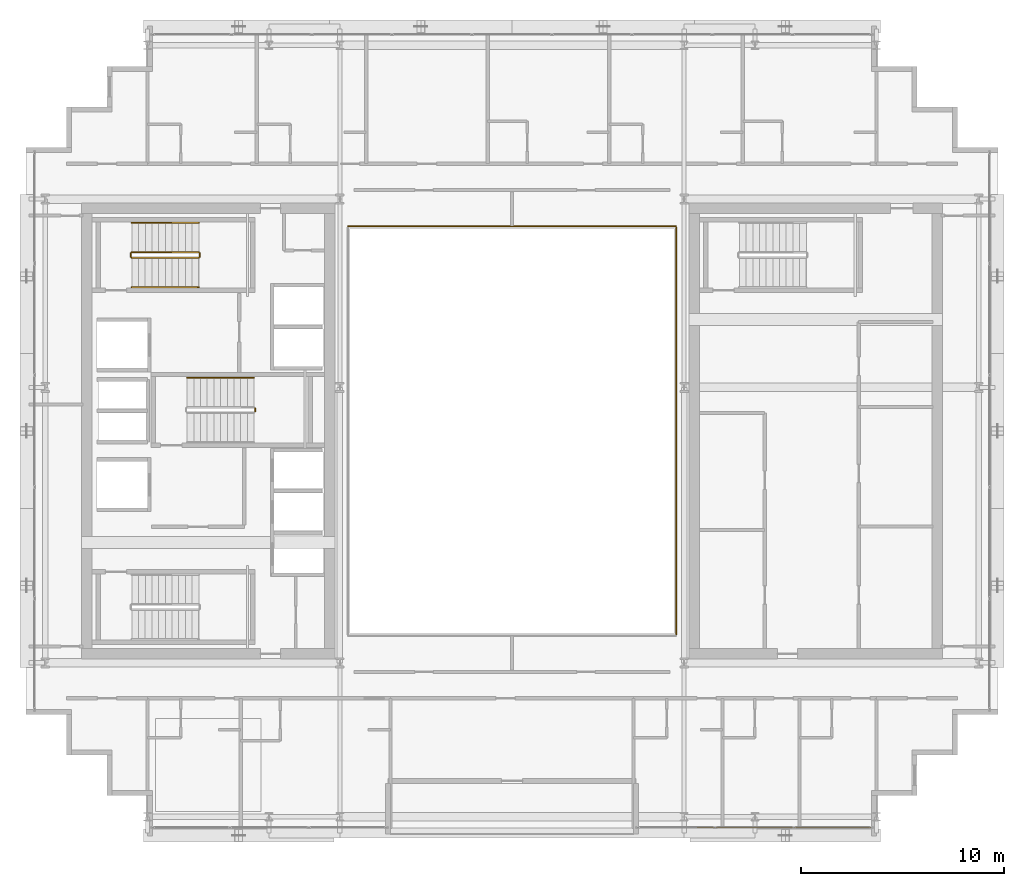
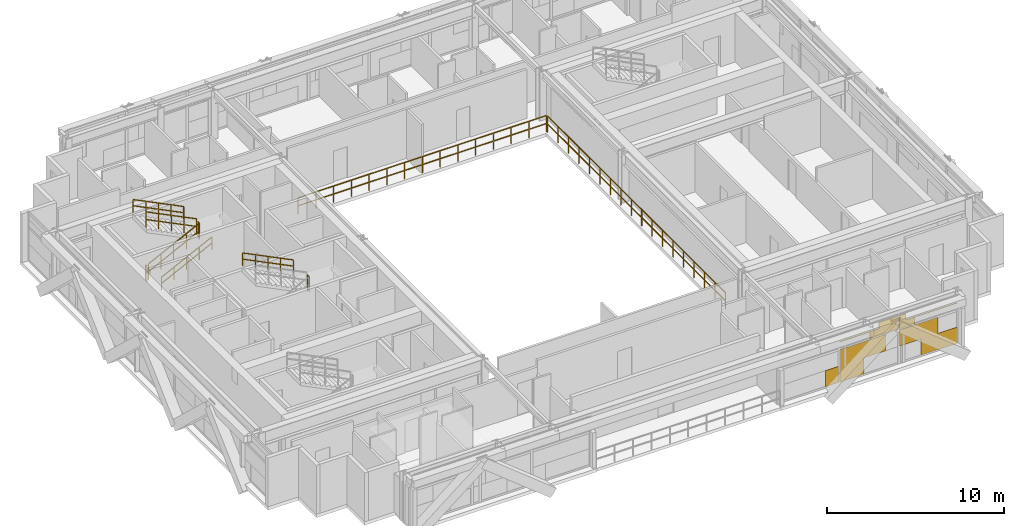
# One storey, part 29 of 31: 10 railings, 1 covering.
"""IFC4 building model written with IfcOpenShell, lengths in metres."""

from ifc_helpers import new_model, si_unit, direction, frame, origin, origin_2d, place, context, subcontext, project, spatial, rectangle, extrude, material, layer, layer_set, type_object, element, save


model = new_model("IFC4")

# Units and contexts
model_context = context("Model", 3, precision=1e-05, world=origin(), true_north=direction((0.0, 1.0)))
body_context = subcontext(model_context, "Body", "Model", "MODEL_VIEW")
ifc_project = project(units=[si_unit("LENGTHUNIT", "METRE"), si_unit("AREAUNIT", "SQUARE_METRE"), si_unit("VOLUMEUNIT", "CUBIC_METRE"), si_unit("PLANEANGLEUNIT", "RADIAN"), si_unit("MASSUNIT", "GRAM", prefix="KILO")], contexts=[model_context])

# Site, building, storey
site_placement = place(None, origin())
site = spatial("IfcSite", under=ifc_project, at=site_placement, CompositionType="ELEMENT")
building_placement = place(site_placement, origin())
building = spatial("IfcBuilding", under=site, at=building_placement, Name="Ocotamira Hotel", CompositionType="ELEMENT")
storey_placement = place(building_placement, frame((0.0, 0.0, 210.0)))
storey = spatial("IfcBuildingStorey", under=building, at=storey_placement, Name="L53", CompositionType="ELEMENT", Elevation=210.0)

# Covering
ifc_material_1 = material(Name="Insulated pale-metal aluminium spandrel panel", Category="aluminium")
ifc_layer = layer(ifc_material_1, 0.044921875)
ifc_layer_set = layer_set([ifc_layer], Name="Insulated pale-metal aluminium spandrel panel")
covering_type = type_object("IfcCoveringType", Name="COV-INFILL-45", PredefinedType="CLADDING", material=ifc_layer_set)
covering_placement = place(storey_placement, origin())
element("IfcCovering", 1, at=covering_placement, inside=storey, type_object=covering_type, Name="L53 Curtain Wall Infill CW-4 CW-L53-S2", PredefinedType="CLADDING", context=body_context, shape_type="SweptSolid", body=[
    extrude(rectangle(XDim=0.85888671875, YDim=0.044921875, at=origin_2d()), frame((41.5634765625, 6.419921875, 0.07568359375), z_axis=(0.0, 0.0, 1.0), x_axis=(1.0, 0.0, 0.0)), (0.0, 0.0, 1.0), 1.117919921875),
    extrude(rectangle(XDim=1.578125, YDim=0.044921875, at=origin_2d()), frame((42.86279296875, 6.419921875, 0.07568359375), z_axis=(0.0, 0.0, 1.0), x_axis=(1.0, 0.0, 0.0)), (0.0, 0.0, 1.0), 1.117919921875),
    extrude(rectangle(XDim=2.9765625, YDim=0.044921875, at=origin_2d()), frame((43.56201171875, 6.419921875, 1.1943359375), z_axis=(0.0, 0.0, 1.0), x_axis=(1.0, 0.0, 0.0)), (0.0, 0.0, 1.0), 1.117919921875),
    extrude(rectangle(XDim=3.80224609375, YDim=0.044921875, at=origin_2d()), frame((43.97509765625, 6.419921875, 2.83154296875), z_axis=(0.0, 0.0, 1.0), x_axis=(1.0, 0.0, 0.0)), (0.0, 0.0, 1.0), 0.0302734375),
    extrude(rectangle(XDim=1.8515625, YDim=0.044921875, at=origin_2d()), frame((44.950439453125, 6.419921875, 2.38818359375), z_axis=(0.0, 0.0, 1.0), x_axis=(1.0, 0.0, 0.0)), (0.0, 0.0, 1.0), 0.442626953125),
    extrude(rectangle(XDim=1.258056640625, YDim=0.044921875, at=origin_2d()), frame((45.2470703125, 6.419921875, 2.86279296875), z_axis=(0.0, 0.0, 1.0), x_axis=(1.0, 0.0, 0.0)), (0.0, 0.0, 1.0), 0.431640625),
    extrude(rectangle(XDim=2.510498046875, YDim=0.044921875, at=origin_2d()), frame((47.21240234375, 6.419921875, 1.1943359375), z_axis=(0.0, 0.0, 1.0), x_axis=(1.0, 0.0, 0.0)), (0.0, 0.0, 1.0), 1.117919921875),
    extrude(rectangle(XDim=2.37158203125, YDim=0.044921875, at=origin_2d()), frame((48.53369140625, 6.419921875, 0.07568359375), z_axis=(0.0, 0.0, 1.0), x_axis=(1.0, 0.0, 0.0)), (0.0, 0.0, 1.0), 1.117919921875),
    extrude(rectangle(XDim=1.018310546875, YDim=0.044921875, at=origin_2d()), frame((46.46630859375, 6.419921875, 2.38818359375), z_axis=(0.0, 0.0, 1.0), x_axis=(1.0, 0.0, 0.0)), (0.0, 0.0, 1.0), 0.442626953125),
    extrude(rectangle(XDim=3.76220703125, YDim=0.044921875, at=origin_2d()), frame((47.83837890625, 6.419921875, 2.83154296875), z_axis=(0.0, 0.0, 1.0), x_axis=(1.0, 0.0, 0.0)), (0.0, 0.0, 1.0), 0.0302734375),
    extrude(rectangle(XDim=0.4248046875, YDim=0.044921875, at=origin_2d()), frame((46.16943359375, 6.419921875, 2.86279296875), z_axis=(0.0, 0.0, 1.0), x_axis=(1.0, 0.0, 0.0)), (0.0, 0.0, 1.0), 0.431640625),
])

# Railings
ifc_material_2 = material(Name="Painted steel stair guardrail", Category="steel")
railing_type_1 = type_object("IfcRailingType", Name="RL-EDGE-1150", PredefinedType="GUARDRAIL", material=ifc_material_2)
railing_1_placement = place(storey_placement, frame((40.1201171875, 15.9599609375, 0.0)))
element("IfcRailing", 2, at=railing_1_placement, inside=storey, type_object=railing_type_1, Name="L53 Central Atrium Edge Guardrail E", PredefinedType="GUARDRAIL", context=body_context, shape_type="SweptSolid", body=[
    extrude(rectangle(XDim=0.048095703125, YDim=0.048095703125, at=origin_2d()), frame((0.0, 0.0, 1.1259765625), z_axis=(0.0, 1.0, 0.0), x_axis=(-1.0, 0.0, 0.0)), (0.0, 0.0, 1.0), 20.080078125),
    extrude(rectangle(XDim=0.048095703125, YDim=0.048095703125, at=origin_2d()), frame((0.0, 0.0, 0.574951171875), z_axis=(0.0, 1.0, 0.0), x_axis=(-1.0, 0.0, 0.0)), (0.0, 0.0, 1.0), 20.080078125),
    extrude(rectangle(XDim=0.0419921875, YDim=0.0419921875, at=origin_2d()), origin(), (0.0, 0.0, 1.0), 1.101806640625),
    extrude(rectangle(XDim=0.0419921875, YDim=0.0419921875, at=origin_2d()), frame((0.0, 1.18115234375, 0.0)), (0.0, 0.0, 1.0), 1.101806640625),
    extrude(rectangle(XDim=0.0419921875, YDim=0.0419921875, at=origin_2d()), frame((0.0, 2.3623046875, 0.0)), (0.0, 0.0, 1.0), 1.101806640625),
    extrude(rectangle(XDim=0.0419921875, YDim=0.0419921875, at=origin_2d()), frame((0.0, 3.54345703125, 0.0)), (0.0, 0.0, 1.0), 1.101806640625),
    extrude(rectangle(XDim=0.0419921875, YDim=0.0419921875, at=origin_2d()), frame((0.0, 4.724609375, 0.0)), (0.0, 0.0, 1.0), 1.101806640625),
    extrude(rectangle(XDim=0.0419921875, YDim=0.0419921875, at=origin_2d()), frame((0.0, 5.906005859375, 0.0)), (0.0, 0.0, 1.0), 1.101806640625),
    extrude(rectangle(XDim=0.0419921875, YDim=0.0419921875, at=origin_2d()), frame((0.0, 7.087158203125, 0.0)), (0.0, 0.0, 1.0), 1.101806640625),
    extrude(rectangle(XDim=0.0419921875, YDim=0.0419921875, at=origin_2d()), frame((0.0, 8.268310546875, 0.0)), (0.0, 0.0, 1.0), 1.101806640625),
    extrude(rectangle(XDim=0.0419921875, YDim=0.0419921875, at=origin_2d()), frame((0.0, 9.449462890625, 0.0)), (0.0, 0.0, 1.0), 1.101806640625),
    extrude(rectangle(XDim=0.0419921875, YDim=0.0419921875, at=origin_2d()), frame((0.0, 10.630615234375, 0.0)), (0.0, 0.0, 1.0), 1.101806640625),
    extrude(rectangle(XDim=0.0419921875, YDim=0.0419921875, at=origin_2d()), frame((0.0, 11.811767578125, 0.0)), (0.0, 0.0, 1.0), 1.101806640625),
    extrude(rectangle(XDim=0.0419921875, YDim=0.0419921875, at=origin_2d()), frame((0.0, 12.992919921875, 0.0)), (0.0, 0.0, 1.0), 1.101806640625),
    extrude(rectangle(XDim=0.0419921875, YDim=0.0419921875, at=origin_2d()), frame((0.0, 14.174072265625, 0.0)), (0.0, 0.0, 1.0), 1.101806640625),
    extrude(rectangle(XDim=0.0419921875, YDim=0.0419921875, at=origin_2d()), frame((0.0, 15.35546875, 0.0)), (0.0, 0.0, 1.0), 1.101806640625),
    extrude(rectangle(XDim=0.0419921875, YDim=0.0419921875, at=origin_2d()), frame((0.0, 16.53662109375, 0.0)), (0.0, 0.0, 1.0), 1.101806640625),
    extrude(rectangle(XDim=0.0419921875, YDim=0.0419921875, at=origin_2d()), frame((0.0, 17.7177734375, 0.0)), (0.0, 0.0, 1.0), 1.101806640625),
    extrude(rectangle(XDim=0.0419921875, YDim=0.0419921875, at=origin_2d()), frame((0.0, 18.89892578125, 0.0)), (0.0, 0.0, 1.0), 1.101806640625),
    extrude(rectangle(XDim=0.0419921875, YDim=0.0419921875, at=origin_2d()), frame((0.0, 20.080078125, 0.0)), (0.0, 0.0, 1.0), 1.101806640625),
])
railing_2_placement = place(storey_placement, frame((40.10009765625, 36.1201171875, 0.0)))
element("IfcRailing", 3, at=railing_2_placement, inside=storey, type_object=railing_type_1, Name="L53 Central Atrium Edge Guardrail N", PredefinedType="GUARDRAIL", context=body_context, shape_type="SweptSolid", body=[
    extrude(rectangle(XDim=0.048095703125, YDim=0.048095703125, at=origin_2d()), frame((0.0, 0.0, 1.1259765625), z_axis=(-1.0, 0.0, 0.0), x_axis=(0.0, -1.0, 0.0)), (0.0, 0.0, 1.0), 16.2001953125),
    extrude(rectangle(XDim=0.048095703125, YDim=0.048095703125, at=origin_2d()), frame((0.0, 0.0, 0.574951171875), z_axis=(-1.0, 0.0, 0.0), x_axis=(0.0, -1.0, 0.0)), (0.0, 0.0, 1.0), 16.2001953125),
    extrude(rectangle(XDim=0.0419921875, YDim=0.0419921875, at=origin_2d()), origin(), (0.0, 0.0, 1.0), 1.101806640625),
    extrude(rectangle(XDim=0.0419921875, YDim=0.0419921875, at=origin_2d()), frame((-1.1572265625, 0.0, 0.0)), (0.0, 0.0, 1.0), 1.101806640625),
    extrude(rectangle(XDim=0.0419921875, YDim=0.0419921875, at=origin_2d()), frame((-2.314208984375, 0.0, 0.0)), (0.0, 0.0, 1.0), 1.101806640625),
    extrude(rectangle(XDim=0.0419921875, YDim=0.0419921875, at=origin_2d()), frame((-3.471435546875, 0.0, 0.0)), (0.0, 0.0, 1.0), 1.101806640625),
    extrude(rectangle(XDim=0.0419921875, YDim=0.0419921875, at=origin_2d()), frame((-4.628662109375, 0.0, 0.0)), (0.0, 0.0, 1.0), 1.101806640625),
    extrude(rectangle(XDim=0.0419921875, YDim=0.0419921875, at=origin_2d()), frame((-5.785888671875, 0.0, 0.0)), (0.0, 0.0, 1.0), 1.101806640625),
    extrude(rectangle(XDim=0.0419921875, YDim=0.0419921875, at=origin_2d()), frame((-6.94287109375, 0.0, 0.0)), (0.0, 0.0, 1.0), 1.101806640625),
    extrude(rectangle(XDim=0.0419921875, YDim=0.0419921875, at=origin_2d()), frame((-8.10009765625, 0.0, 0.0)), (0.0, 0.0, 1.0), 1.101806640625),
    extrude(rectangle(XDim=0.0419921875, YDim=0.0419921875, at=origin_2d()), frame((-9.25732421875, 0.0, 0.0)), (0.0, 0.0, 1.0), 1.101806640625),
    extrude(rectangle(XDim=0.0419921875, YDim=0.0419921875, at=origin_2d()), frame((-10.414306640625, 0.0, 0.0)), (0.0, 0.0, 1.0), 1.101806640625),
    extrude(rectangle(XDim=0.0419921875, YDim=0.0419921875, at=origin_2d()), frame((-11.571533203125, 0.0, 0.0)), (0.0, 0.0, 1.0), 1.101806640625),
    extrude(rectangle(XDim=0.0419921875, YDim=0.0419921875, at=origin_2d()), frame((-12.728759765625, 0.0, 0.0)), (0.0, 0.0, 1.0), 1.101806640625),
    extrude(rectangle(XDim=0.0419921875, YDim=0.0419921875, at=origin_2d()), frame((-13.885986328125, 0.0, 0.0)), (0.0, 0.0, 1.0), 1.101806640625),
    extrude(rectangle(XDim=0.0419921875, YDim=0.0419921875, at=origin_2d()), frame((-15.04296875, 0.0, 0.0)), (0.0, 0.0, 1.0), 1.101806640625),
    extrude(rectangle(XDim=0.0419921875, YDim=0.0419921875, at=origin_2d()), frame((-16.2001953125, 0.0, 0.0)), (0.0, 0.0, 1.0), 1.101806640625),
])
ifc_material_3 = material(Name="Brushed stainless steel handrail", Category="steel")
railing_type_2 = type_object("IfcRailingType", Name="RL-HAND-900", PredefinedType="HANDRAIL", material=ifc_material_3)
railing_3_placement = place(storey_placement, frame((13.22998046875, 33.10009765625, 0.327392578125)))
element("IfcRailing", 4, at=railing_3_placement, inside=storey, type_object=railing_type_2, Name="L53 ST-2 stair handrail 1", PredefinedType="HANDRAIL", context=body_context, shape_type="SweptSolid", body=[
    extrude(rectangle(XDim=0.048095703125, YDim=0.048095703125, at=origin_2d()), frame((0.0, 0.0, 0.8759765625), z_axis=(0.895920123917, 0.0, 0.444215186098), x_axis=(0.0, 1.0, 0.0)), (0.0, 0.0, 1.0), 3.683349609375),
    extrude(rectangle(XDim=0.048095703125, YDim=0.048095703125, at=origin_2d()), frame((0.0, 0.0, 0.449951171875), z_axis=(0.895920123917, 0.0, 0.444215186098), x_axis=(0.0, 1.0, 0.0)), (0.0, 0.0, 1.0), 3.683349609375),
    extrude(rectangle(XDim=0.0419921875, YDim=0.0419921875, at=origin_2d()), origin(), (0.0, 0.0, 1.0), 0.851806640625),
    extrude(rectangle(XDim=0.0419921875, YDim=0.0419921875, at=origin_2d()), frame((0.824951171875, 0.0, 0.4091796875)), (0.0, 0.0, 1.0), 0.851806640625),
    extrude(rectangle(XDim=0.0419921875, YDim=0.0419921875, at=origin_2d()), frame((1.64990234375, 0.0, 0.818115234375)), (0.0, 0.0, 1.0), 0.851806640625),
    extrude(rectangle(XDim=0.0419921875, YDim=0.0419921875, at=origin_2d()), frame((2.47509765625, 0.0, 1.22705078125)), (0.0, 0.0, 1.0), 0.851806640625),
    extrude(rectangle(XDim=0.0419921875, YDim=0.0419921875, at=origin_2d()), frame((3.300048828125, 0.0, 1.63623046875)), (0.0, 0.0, 1.0), 0.851806640625),
])
for number, where, name in (
    (5, (16.530029296875, 36.280029296875, 2.127197265625), "L53 ST-2 stair handrail 2"),
    (6, (19.260009765625, 28.6298828125, 2.127197265625), "L53 ST-3 stair handrail 2"),
):
    element("IfcRailing", number, at=place(storey_placement, frame(where)), inside=storey, type_object=railing_type_2, Name=name, PredefinedType="HANDRAIL", context=body_context, shape_type="SweptSolid", body=[
        extrude(rectangle(XDim=0.048095703125, YDim=0.048095703125, at=origin_2d()), frame((0.0, 0.0, 0.8759765625), z_axis=(-0.895893744519, 0.0, 0.4442683857), x_axis=(0.0, -1.0, 0.0)), (0.0, 0.0, 1.0), 3.68359375),
        extrude(rectangle(XDim=0.048095703125, YDim=0.048095703125, at=origin_2d()), frame((0.0, 0.0, 0.449951171875), z_axis=(-0.895893744519, 0.0, 0.4442683857), x_axis=(0.0, -1.0, 0.0)), (0.0, 0.0, 1.0), 3.68359375),
        extrude(rectangle(XDim=0.0419921875, YDim=0.0419921875, at=origin_2d()), origin(), (0.0, 0.0, 1.0), 0.851806640625),
        extrude(rectangle(XDim=0.0419921875, YDim=0.0419921875, at=origin_2d()), frame((-0.824951171875, 0.0, 0.4091796875)), (0.0, 0.0, 1.0), 0.851806640625),
        extrude(rectangle(XDim=0.0419921875, YDim=0.0419921875, at=origin_2d()), frame((-1.64990234375, 0.0, 0.818359375)), (0.0, 0.0, 1.0), 0.851806640625),
        extrude(rectangle(XDim=0.0419921875, YDim=0.0419921875, at=origin_2d()), frame((-2.47509765625, 0.0, 1.227294921875)), (0.0, 0.0, 1.0), 0.851806640625),
        extrude(rectangle(XDim=0.0419921875, YDim=0.0419921875, at=origin_2d()), frame((-3.300048828125, 0.0, 1.636474609375)), (0.0, 0.0, 1.0), 0.851806640625),
    ])
railing_type_3 = type_object("IfcRailingType", Name="RL-STAIR-1100", PredefinedType="GUARDRAIL", material=ifc_material_2)
railing_4_placement = place(storey_placement, frame((13.22998046875, 34.56005859375, 0.16357421875)))
element("IfcRailing", 7, at=railing_4_placement, inside=storey, type_object=railing_type_3, Name="L53 ST-2 stair guard 1", PredefinedType="GUARDRAIL", context=body_context, shape_type="SweptSolid", body=[
    extrude(rectangle(XDim=0.048095703125, YDim=0.048095703125, at=origin_2d()), frame((0.0, 0.0, 1.076171875), z_axis=(0.895893744519, 0.0, 0.4442683857), x_axis=(0.0, 1.0, 0.0)), (0.0, 0.0, 1.0), 3.68359375),
    extrude(rectangle(XDim=0.048095703125, YDim=0.048095703125, at=origin_2d()), frame((0.0, 0.0, 0.550048828125), z_axis=(0.895893744519, 0.0, 0.4442683857), x_axis=(0.0, 1.0, 0.0)), (0.0, 0.0, 1.0), 3.68359375),
    extrude(rectangle(XDim=0.0419921875, YDim=0.0419921875, at=origin_2d()), origin(), (0.0, 0.0, 1.0), 1.052001953125),
    extrude(rectangle(XDim=0.0419921875, YDim=0.0419921875, at=origin_2d()), frame((0.824951171875, 0.0, 0.4091796875)), (0.0, 0.0, 1.0), 1.052001953125),
    extrude(rectangle(XDim=0.0419921875, YDim=0.0419921875, at=origin_2d()), frame((1.64990234375, 0.0, 0.818359375)), (0.0, 0.0, 1.0), 1.052001953125),
    extrude(rectangle(XDim=0.0419921875, YDim=0.0419921875, at=origin_2d()), frame((2.47509765625, 0.0, 1.227294921875)), (0.0, 0.0, 1.0), 1.052001953125),
    extrude(rectangle(XDim=0.0419921875, YDim=0.0419921875, at=origin_2d()), frame((3.300048828125, 0.0, 1.636474609375)), (0.0, 0.0, 1.0), 1.052001953125),
])
railing_5_placement = place(storey_placement, frame((16.580078125, 34.610107421875, 1.800048828125)))
element("IfcRailing", 8, at=railing_5_placement, inside=storey, type_object=railing_type_3, Name="L53 ST-2 stair guard 2", PredefinedType="GUARDRAIL", context=body_context, shape_type="SweptSolid", body=[
    extrude(rectangle(XDim=0.048095703125, YDim=0.048095703125, at=origin_2d()), frame((0.0, 0.0, 1.076171875), z_axis=(0.0, 1.0, 0.0), x_axis=(-1.0, 0.0, 0.0)), (0.0, 0.0, 1.0), 0.159912109375),
    extrude(rectangle(XDim=0.048095703125, YDim=0.048095703125, at=origin_2d()), frame((0.0, 0.0, 0.550048828125), z_axis=(0.0, 1.0, 0.0), x_axis=(-1.0, 0.0, 0.0)), (0.0, 0.0, 1.0), 0.159912109375),
    extrude(rectangle(XDim=0.0419921875, YDim=0.0419921875, at=origin_2d()), origin(), (0.0, 0.0, 1.0), 1.052001953125),
    extrude(rectangle(XDim=0.0419921875, YDim=0.0419921875, at=origin_2d()), frame((0.0, 0.159912109375, 0.0)), (0.0, 0.0, 1.0), 1.052001953125),
])
railing_6_placement = place(storey_placement, frame((16.530029296875, 34.820068359375, 1.963623046875)))
element("IfcRailing", 9, at=railing_6_placement, inside=storey, type_object=railing_type_3, Name="L53 ST-2 stair guard 3", PredefinedType="GUARDRAIL", context=body_context, shape_type="SweptSolid", body=[
    extrude(rectangle(XDim=0.048095703125, YDim=0.048095703125, at=origin_2d()), frame((0.0, 0.0, 1.076171875), z_axis=(-0.895893744519, 0.0, 0.4442683857), x_axis=(0.0, -1.0, 0.0)), (0.0, 0.0, 1.0), 3.68359375),
    extrude(rectangle(XDim=0.048095703125, YDim=0.048095703125, at=origin_2d()), frame((0.0, 0.0, 0.550048828125), z_axis=(-0.895893744519, 0.0, 0.4442683857), x_axis=(0.0, -1.0, 0.0)), (0.0, 0.0, 1.0), 3.68359375),
    extrude(rectangle(XDim=0.0419921875, YDim=0.0419921875, at=origin_2d()), origin(), (0.0, 0.0, 1.0), 1.052001953125),
    extrude(rectangle(XDim=0.0419921875, YDim=0.0419921875, at=origin_2d()), frame((-0.824951171875, 0.0, 0.4091796875)), (0.0, 0.0, 1.0), 1.052001953125),
    extrude(rectangle(XDim=0.0419921875, YDim=0.0419921875, at=origin_2d()), frame((-1.64990234375, 0.0, 0.818359375)), (0.0, 0.0, 1.0), 1.052001953125),
    extrude(rectangle(XDim=0.0419921875, YDim=0.0419921875, at=origin_2d()), frame((-2.47509765625, 0.0, 1.227294921875)), (0.0, 0.0, 1.0), 1.052001953125),
    extrude(rectangle(XDim=0.0419921875, YDim=0.0419921875, at=origin_2d()), frame((-3.300048828125, 0.0, 1.636474609375)), (0.0, 0.0, 1.0), 1.052001953125),
])
railing_7_placement = place(storey_placement, frame((13.179931640625, 34.610107421875, 0.0)))
element("IfcRailing", 10, at=railing_7_placement, inside=storey, type_object=railing_type_3, Name="L53 ST-2 stair guard 4", PredefinedType="GUARDRAIL", context=body_context, shape_type="SweptSolid", body=[
    extrude(rectangle(XDim=0.048095703125, YDim=0.048095703125, at=origin_2d()), frame((0.0, 0.0, 1.076171875), z_axis=(0.0, 1.0, 0.0), x_axis=(-1.0, 0.0, 0.0)), (0.0, 0.0, 1.0), 0.159912109375),
    extrude(rectangle(XDim=0.048095703125, YDim=0.048095703125, at=origin_2d()), frame((0.0, 0.0, 0.550048828125), z_axis=(0.0, 1.0, 0.0), x_axis=(-1.0, 0.0, 0.0)), (0.0, 0.0, 1.0), 0.159912109375),
    extrude(rectangle(XDim=0.0419921875, YDim=0.0419921875, at=origin_2d()), origin(), (0.0, 0.0, 1.0), 1.052001953125),
    extrude(rectangle(XDim=0.0419921875, YDim=0.0419921875, at=origin_2d()), frame((0.0, 0.159912109375, 0.0)), (0.0, 0.0, 1.0), 1.052001953125),
])
railing_8_placement = place(storey_placement, frame((19.31005859375, 26.9599609375, 1.800048828125)))
element("IfcRailing", 11, at=railing_8_placement, inside=storey, type_object=railing_type_3, Name="L53 ST-3 stair guard 2", PredefinedType="GUARDRAIL", context=body_context, shape_type="SweptSolid", body=[
    extrude(rectangle(XDim=0.048095703125, YDim=0.048095703125, at=origin_2d()), frame((0.0, 0.0, 1.076171875), z_axis=(0.0, 1.0, 0.0), x_axis=(-1.0, 0.0, 0.0)), (0.0, 0.0, 1.0), 0.16015625),
    extrude(rectangle(XDim=0.048095703125, YDim=0.048095703125, at=origin_2d()), frame((0.0, 0.0, 0.550048828125), z_axis=(0.0, 1.0, 0.0), x_axis=(-1.0, 0.0, 0.0)), (0.0, 0.0, 1.0), 0.16015625),
    extrude(rectangle(XDim=0.0419921875, YDim=0.0419921875, at=origin_2d()), origin(), (0.0, 0.0, 1.0), 1.052001953125),
    extrude(rectangle(XDim=0.0419921875, YDim=0.0419921875, at=origin_2d()), frame((0.0, 0.16015625, 0.0)), (0.0, 0.0, 1.0), 1.052001953125),
])

save(model, "model.ifc")
